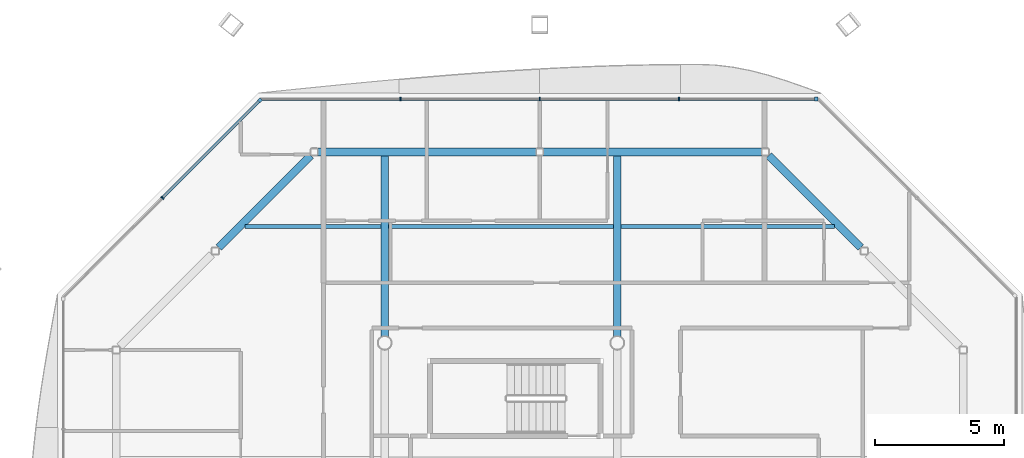
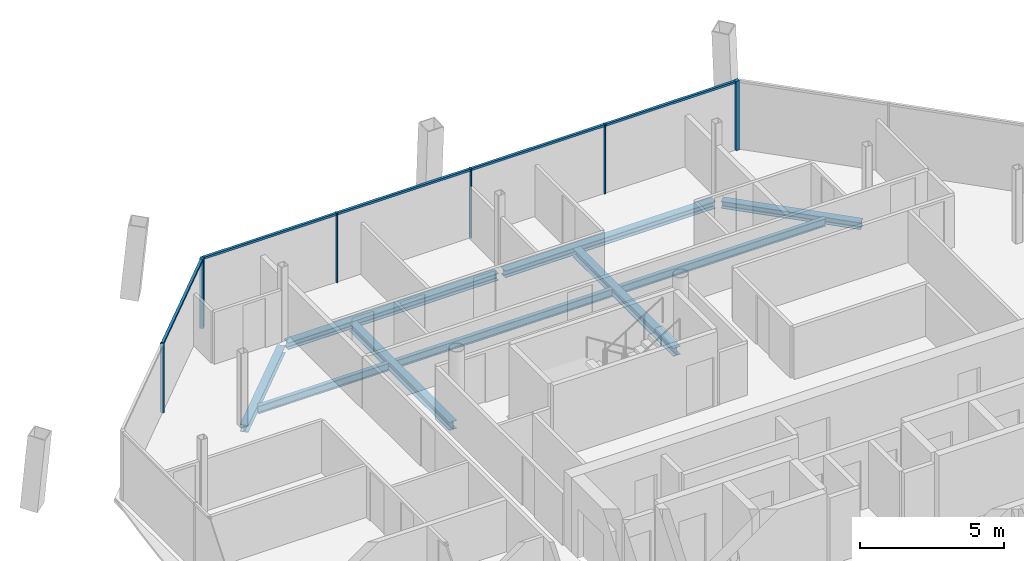
# One storey, part 9 of 17: 11 members, 9 beams, 2 elements without a shape of their own.
"""IFC4 building model written with IfcOpenShell, lengths in metres."""

from ifc_helpers import new_model, si_unit, direction, frame, origin, origin_2d, place, context, subcontext, project, spatial, rectangle, i_section, extrude, material, material_profile, profile_set, type_object, element, aggregate, save


model = new_model("IFC4")

# Units and contexts
model_context = context("Model", 3, precision=1e-05, world=origin(), true_north=direction((0.0, 1.0)))
body_context = subcontext(model_context, "Body", "Model", "MODEL_VIEW")
ifc_project = project(units=[si_unit("LENGTHUNIT", "METRE"), si_unit("AREAUNIT", "SQUARE_METRE"), si_unit("VOLUMEUNIT", "CUBIC_METRE"), si_unit("PLANEANGLEUNIT", "RADIAN"), si_unit("MASSUNIT", "GRAM", prefix="KILO")], contexts=[model_context])

# Site, building, storey
site_placement = place(None, origin())
site = spatial("IfcSite", under=ifc_project, at=site_placement, CompositionType="ELEMENT")
building_placement = place(site_placement, origin())
building = spatial("IfcBuilding", under=site, at=building_placement, Name="Tskaro Facet Tower", CompositionType="ELEMENT")
storey_placement = place(building_placement, frame((0.0, 0.0, 229.800048828125)))
storey = spatial("IfcBuildingStorey", under=building, at=storey_placement, Name="L59", CompositionType="ELEMENT", Elevation=229.800048828125)

# Curtain wall, member
ifc_material_1 = material(Name="Bronze anodised aluminium 6063-T6", Category="aluminium")
curtain_wall_type = type_object("IfcCurtainWallType", Name="Bronze residence curtain wall (FW3)", PredefinedType="NOTDEFINED", material=ifc_material_1)
curtain_wall_1_placement = place(storey_placement, origin())
curtain_wall_1 = element("IfcCurtainWall", 1, at=curtain_wall_1_placement, inside=storey, type_object=curtain_wall_type, Name="FW3 north facet L59", PredefinedType="NOTDEFINED")
ifc_material_profile_1 = material_profile(ifc_material_1, rectangle(XDim=0.139892578125, YDim=0.139892578125, at=origin_2d()), Name="Corner post 140x140")
ifc_profile_set_1 = profile_set([ifc_material_profile_1], Name="Bronze anodised aluminium 6063-T6")
member_type_1 = type_object("IfcMemberType", Name="FW3 bronze corner post 140x140", PredefinedType="MULLION", material=ifc_profile_set_1)
member_1_placement = place(storey_placement, frame((7.708984375, 18.43701171875, 0.0), z_axis=(0.0, 0.0, 1.0), x_axis=(-1.0, 0.0, 0.0)))
member_1 = element("IfcMember", 2, at=member_1_placement, type_object=member_type_1, Name="FW3 north corner post", PredefinedType="MULLION", context=body_context, shape_type="SweptSolid", body=[
    extrude(rectangle(XDim=0.139892578125, YDim=0.139892578125, at=origin_2d()), origin(), (0.0, 0.0, 1.0), 2.949951171875),
])

curtain_wall_2_placement = place(storey_placement, origin())
curtain_wall_2 = element("IfcCurtainWall", 3, at=curtain_wall_2_placement, inside=storey, type_object=curtain_wall_type, Name="FW3 north-west facet L59", PredefinedType="NOTDEFINED")
member_2_placement = place(storey_placement, frame((-13.82861328125, 18.387451171875, 0.0), z_axis=(0.0, 0.0, 1.0), x_axis=(-0.707106781187, -0.707106781187, 0.0)))
member_2 = element("IfcMember", 4, at=member_2_placement, type_object=member_type_1, Name="FW3 north-west corner post", PredefinedType="MULLION", context=body_context, shape_type="SweptSolid", body=[
    extrude(rectangle(XDim=0.139892578125, YDim=0.139892578125, at=origin_2d()), origin(), (0.0, 0.0, 1.0), 2.949951171875),
])

# Member
ifc_material_profile_2 = material_profile(ifc_material_1, rectangle(XDim=0.050048828125, YDim=0.139892578125, at=origin_2d()), Name="Mullion 50x140")
ifc_profile_set_2 = profile_set([ifc_material_profile_2], Name="Bronze anodised aluminium 6063-T6")
member_type_2 = type_object("IfcMemberType", Name="FW3 bronze mullion 50x140", PredefinedType="MULLION", material=ifc_profile_set_2)
member_3_placement = place(storey_placement, frame((2.389404296875, 18.43701171875, 0.0), z_axis=(0.0, 0.0, 1.0), x_axis=(-1.0, 0.0, 0.0)))
member_3 = element("IfcMember", 5, at=member_3_placement, type_object=member_type_2, Name="FW3 north mullion 1", PredefinedType="MULLION", context=body_context, shape_type="SweptSolid", body=[
    extrude(rectangle(XDim=0.050048828125, YDim=0.139892578125, at=origin_2d()), origin(), (0.0, 0.0, 1.0), 2.949951171875),
])

member_4_placement = place(storey_placement, frame((-3.0, 18.43701171875, 0.0), z_axis=(0.0, 0.0, 1.0), x_axis=(-1.0, 0.0, 0.0)))
member_4 = element("IfcMember", 6, at=member_4_placement, type_object=member_type_2, Name="FW3 north mullion 2", PredefinedType="MULLION", context=body_context, shape_type="SweptSolid", body=[
    extrude(rectangle(XDim=0.050048828125, YDim=0.139892578125, at=origin_2d()), origin(), (0.0, 0.0, 1.0), 2.949951171875),
])

member_5_placement = place(storey_placement, frame((-8.389404296875, 18.43701171875, 0.0), z_axis=(0.0, 0.0, 1.0), x_axis=(-1.0, 0.0, 0.0)))
member_5 = element("IfcMember", 7, at=member_5_placement, type_object=member_type_2, Name="FW3 north mullion 3", PredefinedType="MULLION", context=body_context, shape_type="SweptSolid", body=[
    extrude(rectangle(XDim=0.050048828125, YDim=0.139892578125, at=origin_2d()), origin(), (0.0, 0.0, 1.0), 2.949951171875),
])

member_6_placement = place(storey_placement, frame((-17.60791015625, 14.60791015625, 0.0), z_axis=(0.0, 0.0, 1.0), x_axis=(-0.707106781187, -0.707106781187, 0.0)))
member_6 = element("IfcMember", 8, at=member_6_placement, type_object=member_type_2, Name="FW3 north-west mullion 1", PredefinedType="MULLION", context=body_context, shape_type="SweptSolid", body=[
    extrude(rectangle(XDim=0.050048828125, YDim=0.139892578125, at=origin_2d()), origin(), (0.0, 0.0, 1.0), 2.949951171875),
])

ifc_material_profile_3 = material_profile(ifc_material_1, rectangle(XDim=0.10009765625, YDim=0.090087890625, at=origin_2d()), Name="Transom 100x90")
ifc_profile_set_3 = profile_set([ifc_material_profile_3], Name="Bronze anodised aluminium 6063-T6")
member_type_3 = type_object("IfcMemberType", Name="FW3 bronze transom 100x90", PredefinedType="USERDEFINED", material=ifc_profile_set_3)
member_7_placement = place(storey_placement, frame((7.638916015625, 18.43701171875, 2.905029296875), z_axis=(-1.0, 0.0, 0.0), x_axis=(0.0, -1.0, 0.0)))
member_7 = element("IfcMember", 9, at=member_7_placement, type_object=member_type_3, Name="FW3 north transom 1.1", ObjectType="TRANSOM", PredefinedType="USERDEFINED", context=body_context, shape_type="SweptSolid", body=[
    extrude(rectangle(XDim=0.10009765625, YDim=0.090087890625, at=origin_2d()), origin(), (0.0, 0.0, 1.0), 5.224365234375),
])

member_8_placement = place(storey_placement, frame((2.364501953125, 18.43701171875, 2.905029296875), z_axis=(-1.0, 0.0, 0.0), x_axis=(0.0, -1.0, 0.0)))
member_8 = element("IfcMember", 10, at=member_8_placement, type_object=member_type_3, Name="FW3 north transom 2.1", ObjectType="TRANSOM", PredefinedType="USERDEFINED", context=body_context, shape_type="SweptSolid", body=[
    extrude(rectangle(XDim=0.10009765625, YDim=0.090087890625, at=origin_2d()), origin(), (0.0, 0.0, 1.0), 5.339599609375),
])

member_9_placement = place(storey_placement, frame((-3.02490234375, 18.43701171875, 2.905029296875), z_axis=(-1.0, 0.0, 0.0), x_axis=(0.0, -1.0, 0.0)))
member_9 = element("IfcMember", 11, at=member_9_placement, type_object=member_type_3, Name="FW3 north transom 3.1", ObjectType="TRANSOM", PredefinedType="USERDEFINED", context=body_context, shape_type="SweptSolid", body=[
    extrude(rectangle(XDim=0.10009765625, YDim=0.090087890625, at=origin_2d()), origin(), (0.0, 0.0, 1.0), 5.339599609375),
])

member_10_placement = place(storey_placement, frame((-8.41455078125, 18.43701171875, 2.905029296875), z_axis=(-1.0, 0.0, 0.0), x_axis=(0.0, -1.0, 0.0)))
member_10 = element("IfcMember", 12, at=member_10_placement, type_object=member_type_3, Name="FW3 north transom 4.1", ObjectType="TRANSOM", PredefinedType="USERDEFINED", context=body_context, shape_type="SweptSolid", body=[
    extrude(rectangle(XDim=0.10009765625, YDim=0.090087890625, at=origin_2d()), origin(), (0.0, 0.0, 1.0), 5.364501953125),
])

aggregate(curtain_wall_1, [member_1, member_3, member_4, member_5, member_7, member_8, member_9, member_10])

member_11_placement = place(storey_placement, frame((-13.8779296875, 18.337890625, 2.905029296875), z_axis=(-0.707130032482, -0.707083529126, 0.0), x_axis=(0.707083529126, -0.707130032482, 0.0)))
member_11 = element("IfcMember", 13, at=member_11_placement, type_object=member_type_3, Name="FW3 north-west transom 1.1", ObjectType="TRANSOM", PredefinedType="USERDEFINED", context=body_context, shape_type="SweptSolid", body=[
    extrude(rectangle(XDim=0.10009765625, YDim=0.090087890625, at=origin_2d()), origin(), (0.0, 0.0, 1.0), 5.25),
])

aggregate(curtain_wall_2, [member_2, member_6, member_11])

# Beams
ifc_material_2 = material(Name="Steel S355J2", Category="steel")
ifc_material_profile_4 = material_profile(ifc_material_2, i_section(OverallWidth=0.300048828125, OverallDepth=0.300048828125, WebThickness=0.010986328125, FlangeThickness=0.01904296875, FilletRadius=0.027099609375, at=origin_2d()), Name="HE 300 B")
ifc_profile_set_4 = profile_set([ifc_material_profile_4], Name="Steel S355J2")
beam_type_1 = type_object("IfcBeamType", Name="HE 300 B ring beam", PredefinedType="BEAM", material=ifc_profile_set_4)
beam_1_placement = place(storey_placement, frame((9.422119140625, 12.69384765625, -0.2900390625), z_axis=(-0.707106781187, 0.707106781187, 0.0), x_axis=(-0.707106781187, -0.707106781187, 0.0)))
element("IfcBeam", 14, at=beam_1_placement, inside=storey, type_object=beam_type_1, Name="HE 300 B EB9-5", PredefinedType="BEAM", context=body_context, shape_type="SweptSolid", body=[
    extrude(i_section(OverallWidth=0.300048828125, OverallDepth=0.300048828125, WebThickness=0.010986328125, FlangeThickness=0.01904296875, FilletRadius=0.027099609375, at=origin_2d()), origin(), (0.0, 0.0, 1.0), 5.036376953125),
])
for number, where, z_axis, x_axis, name in (
    (15, (5.594970703125, 16.39111328125, -0.2900390625), (-1.0, 0.0, 0.0), (0.0, -1.0, 0.0), "HE 300 B EB10-5"),
    (16, (-3.1298828125, 16.39111328125, -0.2900390625), (-1.0, 0.0, 0.0), (0.0, -1.0, 0.0), "HE 300 B EB11-5"),
):
    element("IfcBeam", number, at=place(storey_placement, frame(where, z_axis=z_axis, x_axis=x_axis)), inside=storey, type_object=beam_type_1, Name=name, PredefinedType="BEAM", context=body_context, shape_type="SweptSolid", body=[
        extrude(i_section(OverallWidth=0.300048828125, OverallDepth=0.300048828125, WebThickness=0.010986328125, FlangeThickness=0.01904296875, FilletRadius=0.027099609375, at=origin_2d()), origin(), (0.0, 0.0, 1.0), 8.465087890625),
    ])
beam_2_placement = place(storey_placement, frame((-11.86083984375, 16.255126953125, -0.2900390625), z_axis=(-0.707106781187, -0.707106781187, 0.0), x_axis=(0.707106781187, -0.707106781187, 0.0)))
element("IfcBeam", 17, at=beam_2_placement, inside=storey, type_object=beam_type_1, Name="HE 300 B EB12-5", PredefinedType="BEAM", context=body_context, shape_type="SweptSolid", body=[
    extrude(i_section(OverallWidth=0.300048828125, OverallDepth=0.300048828125, WebThickness=0.010986328125, FlangeThickness=0.01904296875, FilletRadius=0.027099609375, at=origin_2d()), origin(), (0.0, 0.0, 1.0), 5.036376953125),
])
ifc_material_profile_5 = material_profile(ifc_material_2, i_section(OverallWidth=0.300048828125, OverallDepth=0.35009765625, WebThickness=0.010009765625, FlangeThickness=0.017578125, FilletRadius=0.027099609375, at=origin_2d()), Name="HE 360 A")
ifc_profile_set_5 = profile_set([ifc_material_profile_5], Name="Steel S355J2")
beam_type_2 = type_object("IfcBeamType", Name="HE 360 A girder", PredefinedType="BEAM", material=ifc_profile_set_5)
for number, where, z_axis, x_axis, name in (
    (18, (-9.0, 9.24951171875, -0.31494140625), (0.0, 1.0, 0.0), (-1.0, 0.0, 0.0), "HE 360 A GB3-3-5"),
    (19, (0.0, 9.24951171875, -0.31494140625), (0.0, 1.0, 0.0), (-1.0, 0.0, 0.0), "HE 360 A GB4-3-5"),
):
    element("IfcBeam", number, at=place(storey_placement, frame(where, z_axis=z_axis, x_axis=x_axis)), inside=storey, type_object=beam_type_2, Name=name, PredefinedType="BEAM", context=body_context, shape_type="SweptSolid", body=[
        extrude(i_section(OverallWidth=0.300048828125, OverallDepth=0.35009765625, WebThickness=0.010009765625, FlangeThickness=0.017578125, FilletRadius=0.027099609375, at=origin_2d()), origin(), (0.0, 0.0, 1.0), 6.991455078125),
    ])
ifc_material_profile_6 = material_profile(ifc_material_2, i_section(OverallWidth=0.159912109375, OverallDepth=0.330078125, WebThickness=0.007568359375, FlangeThickness=0.011474609375, FilletRadius=0.01806640625, at=origin_2d()), Name="IPE 330")
ifc_profile_set_6 = profile_set([ifc_material_profile_6], Name="Steel S355J2")
beam_type_3 = type_object("IfcBeamType", Name="IPE 330 secondary beam", PredefinedType="BEAM", material=ifc_profile_set_6)
beam_3_placement = place(storey_placement, frame((-14.404052734375, 13.5, -0.304931640625), z_axis=(1.0, 0.0, 0.0), x_axis=(0.0, 1.0, 0.0)))
element("IfcBeam", 20, at=beam_3_placement, inside=storey, type_object=beam_type_3, Name="IPE 330 SB5a-1-5", PredefinedType="BEAM", context=body_context, shape_type="SweptSolid", body=[
    extrude(i_section(OverallWidth=0.159912109375, OverallDepth=0.330078125, WebThickness=0.007568359375, FlangeThickness=0.011474609375, FilletRadius=0.01806640625, at=origin_2d()), origin(), (0.0, 0.0, 1.0), 5.254150390625),
])
beam_4_placement = place(storey_placement, frame((-8.85009765625, 13.5, -0.304931640625), z_axis=(1.0, 0.0, 0.0), x_axis=(0.0, 1.0, 0.0)))
element("IfcBeam", 21, at=beam_4_placement, inside=storey, type_object=beam_type_3, Name="IPE 330 SB5a-2-5", PredefinedType="BEAM", context=body_context, shape_type="SweptSolid", body=[
    extrude(i_section(OverallWidth=0.159912109375, OverallDepth=0.330078125, WebThickness=0.007568359375, FlangeThickness=0.011474609375, FilletRadius=0.01806640625, at=origin_2d()), origin(), (0.0, 0.0, 1.0), 8.7001953125),
])
beam_5_placement = place(storey_placement, frame((0.14990234375, 13.5, -0.304931640625), z_axis=(1.0, 0.0, 0.0), x_axis=(0.0, 1.0, 0.0)))
element("IfcBeam", 22, at=beam_5_placement, inside=storey, type_object=beam_type_3, Name="IPE 330 SB5a-3-5", PredefinedType="BEAM", context=body_context, shape_type="SweptSolid", body=[
    extrude(i_section(OverallWidth=0.159912109375, OverallDepth=0.330078125, WebThickness=0.007568359375, FlangeThickness=0.011474609375, FilletRadius=0.01806640625, at=origin_2d()), origin(), (0.0, 0.0, 1.0), 8.254150390625),
])

save(model, "model.ifc")
